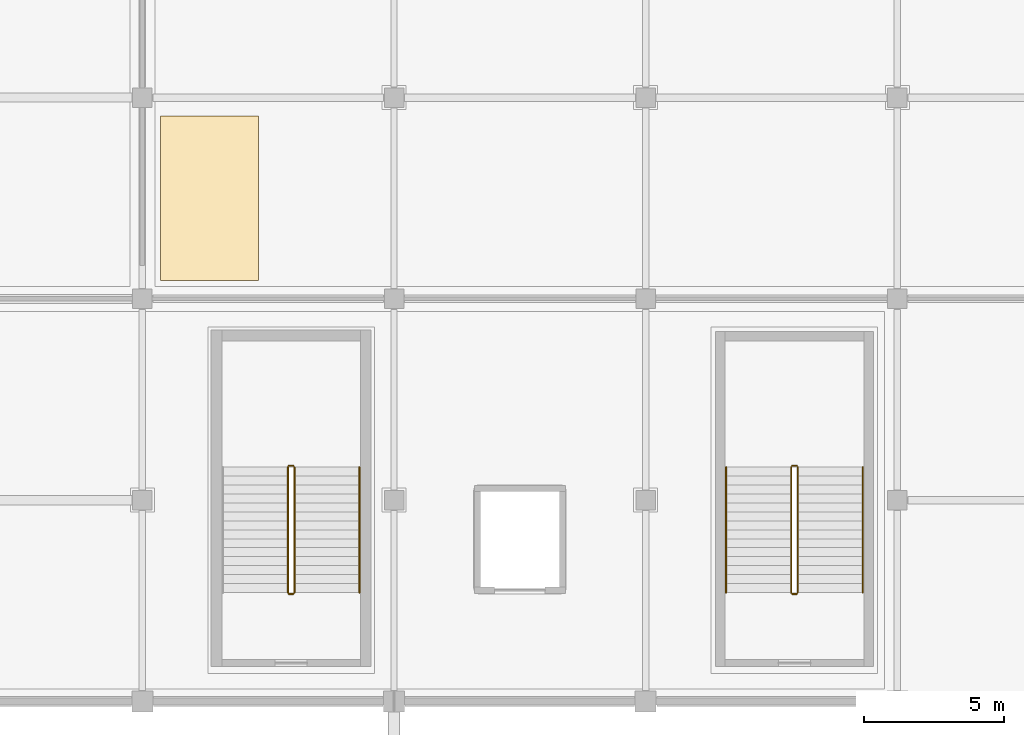
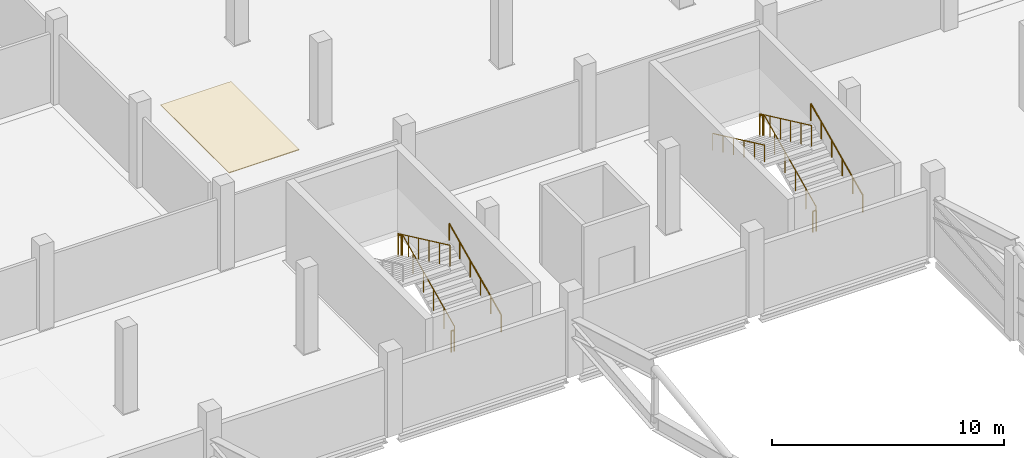
# One storey, part 132 of 151: 11 railings, 1 covering.
"""IFC4 building model written with IfcOpenShell, lengths in metres."""

from ifc_helpers import new_model, si_unit, direction, frame, origin, origin_2d, place, context, subcontext, project, spatial, polyline, circle, outline, extrude, material, layer, layer_set, type_object, element, save


model = new_model("IFC4")

# Units and contexts
model_context = context("Model", 3, precision=1e-05, world=origin(), true_north=direction((0.0, 1.0)))
body_context = subcontext(model_context, "Body", "Model", "MODEL_VIEW")
ifc_project = project(units=[si_unit("LENGTHUNIT", "METRE"), si_unit("AREAUNIT", "SQUARE_METRE"), si_unit("VOLUMEUNIT", "CUBIC_METRE"), si_unit("PLANEANGLEUNIT", "RADIAN"), si_unit("MASSUNIT", "GRAM", prefix="KILO")], contexts=[model_context])

# Site, building, storey
site_placement = place(None, origin())
site = spatial("IfcSite", under=ifc_project, at=site_placement, CompositionType="ELEMENT")
building_placement = place(site_placement, origin())
building = spatial("IfcBuilding", under=site, at=building_placement, Name="Celestram Park Convention Centre", CompositionType="ELEMENT")
storey_placement = place(building_placement, frame((0.0, 0.0, 10.800048828125)))
storey = spatial("IfcBuildingStorey", under=building, at=storey_placement, Name="L02", CompositionType="ELEMENT", Elevation=10.800048828125)

# Covering
ifc_material_1 = material(Name="Perforated Acoustic Mineral-Fibre Baffle Ceiling", Category="gypsum")
ifc_layer_1 = layer(ifc_material_1, 0.0400390625)
ifc_layer_set_1 = layer_set([ifc_layer_1], Name="Perforated Acoustic Mineral-Fibre Baffle Ceiling")
covering_type = type_object("IfcCoveringType", Name="ARC-COV-CLG040", PredefinedType="CEILING", material=ifc_layer_set_1)
covering_placement = place(storey_placement, frame((0.0, 0.0, 4.2099609375)))
element("IfcCovering", 1, at=covering_placement, inside=storey, type_object=covering_type, Name="Cosmic Horizon Banquet Gallery acoustic baffle ceiling", PredefinedType="CEILING", context=body_context, shape_type="SweptSolid", body=[
    extrude(outline(polyline([(99.64990234375, 123.050048828125), (103.14990234375, 123.050048828125), (103.14990234375, 128.949951171875), (99.64990234375, 128.949951171875), (99.64990234375, 123.050048828125)])), origin(), (0.0, 0.0, 1.0), 0.0400390625),
])

# Railings
ifc_material_2 = material(Name="Stainless Steel AISI 316L & Laminated Glass", Category="steel")
ifc_layer_2 = layer(ifc_material_2, 0.06005859375)
ifc_layer_set_2 = layer_set([ifc_layer_2], Name="Stainless Steel AISI 316L & Laminated Glass")
railing_type_1 = type_object("IfcRailingType", Name="ARC-RL-GRD1120", PredefinedType="GUARDRAIL", material=ifc_layer_set_2)
railing_1_placement = place(storey_placement, frame((104.43603515625, 111.89990234375, 0.14990234375)))
element("IfcRailing", 2, at=railing_1_placement, inside=storey, type_object=railing_type_1, Name="L02 ST-03 stair guard 1", PredefinedType="GUARDRAIL", context=body_context, shape_type="SweptSolid", body=[
    extrude(circle(Radius=0.02392578125, at=origin_2d()), frame((0.0, 0.0, 1.09619140625), z_axis=(0.0, 0.905450639465, 0.424451574969), x_axis=(-1.0, 0.0, 0.0)), (0.0, 0.0, 1.0), 4.94775390625),
    extrude(circle(Radius=0.02099609375, at=origin_2d()), origin(), (0.0, 0.0, 1.0), 1.072021484375),
    extrude(circle(Radius=0.02099609375, at=origin_2d()), frame((0.0, 0.89599609375, 0.419921875)), (0.0, 0.0, 1.0), 1.072021484375),
    extrude(circle(Radius=0.02099609375, at=origin_2d()), frame((0.0, 1.7919921875, 0.840087890625)), (0.0, 0.0, 1.0), 1.072021484375),
    extrude(circle(Radius=0.02099609375, at=origin_2d()), frame((0.0, 2.68798828125, 1.260009765625)), (0.0, 0.0, 1.0), 1.072021484375),
    extrude(circle(Radius=0.02099609375, at=origin_2d()), frame((0.0, 3.583984375, 1.68017578125)), (0.0, 0.0, 1.0), 1.072021484375),
    extrude(circle(Radius=0.02099609375, at=origin_2d()), frame((0.0, 4.47998046875, 2.10009765625)), (0.0, 0.0, 1.0), 1.072021484375),
])
railing_2_placement = place(storey_placement, frame((104.39990234375, 116.429931640625, 2.25)))
element("IfcRailing", 3, at=railing_2_placement, inside=storey, type_object=railing_type_1, Name="L02 ST-03 stair guard 2", PredefinedType="GUARDRAIL", context=body_context, shape_type="SweptSolid", body=[
    extrude(circle(Radius=0.02392578125, at=origin_2d()), frame((0.0, 0.0, 1.09619140625), z_axis=(-1.0, 0.0, 0.0), x_axis=(0.0, -1.0, 0.0)), (0.0, 0.0, 1.0), 0.159912109375),
    extrude(circle(Radius=0.02099609375, at=origin_2d()), origin(), (0.0, 0.0, 1.0), 1.072021484375),
    extrude(circle(Radius=0.02099609375, at=origin_2d()), frame((-0.159912109375, 0.0, 0.0)), (0.0, 0.0, 1.0), 1.072021484375),
])
railing_3_placement = place(storey_placement, frame((104.2041015625, 116.3798828125, 2.39990234375)))
element("IfcRailing", 4, at=railing_3_placement, inside=storey, type_object=railing_type_1, Name="L02 ST-03 stair guard 3", PredefinedType="GUARDRAIL", context=body_context, shape_type="SweptSolid", body=[
    extrude(circle(Radius=0.02392578125, at=origin_2d()), frame((0.0, 0.0, 1.09619140625), z_axis=(0.0, -0.905450639465, 0.424451574969), x_axis=(1.0, 0.0, 0.0)), (0.0, 0.0, 1.0), 4.94775390625),
    extrude(circle(Radius=0.02099609375, at=origin_2d()), origin(), (0.0, 0.0, 1.0), 1.072021484375),
    extrude(circle(Radius=0.02099609375, at=origin_2d()), frame((0.0, -0.89599609375, 0.419921875)), (0.0, 0.0, 1.0), 1.072021484375),
    extrude(circle(Radius=0.02099609375, at=origin_2d()), frame((0.0, -1.7919921875, 0.840087890625)), (0.0, 0.0, 1.0), 1.072021484375),
    extrude(circle(Radius=0.02099609375, at=origin_2d()), frame((0.0, -2.68798828125, 1.260009765625)), (0.0, 0.0, 1.0), 1.072021484375),
    extrude(circle(Radius=0.02099609375, at=origin_2d()), frame((0.0, -3.583984375, 1.68017578125)), (0.0, 0.0, 1.0), 1.072021484375),
    extrude(circle(Radius=0.02099609375, at=origin_2d()), frame((0.0, -4.47998046875, 2.10009765625)), (0.0, 0.0, 1.0), 1.072021484375),
])
railing_4_placement = place(storey_placement, frame((104.39990234375, 111.85009765625, 0.0)))
element("IfcRailing", 5, at=railing_4_placement, inside=storey, type_object=railing_type_1, Name="L02 ST-03 stair guard 4", PredefinedType="GUARDRAIL", context=body_context, shape_type="SweptSolid", body=[
    extrude(circle(Radius=0.02392578125, at=origin_2d()), frame((0.0, 0.0, 1.09619140625), z_axis=(-1.0, 0.0, 0.0), x_axis=(0.0, -1.0, 0.0)), (0.0, 0.0, 1.0), 0.159912109375),
    extrude(circle(Radius=0.02099609375, at=origin_2d()), origin(), (0.0, 0.0, 1.0), 1.072021484375),
    extrude(circle(Radius=0.02099609375, at=origin_2d()), frame((-0.159912109375, 0.0, 0.0)), (0.0, 0.0, 1.0), 1.072021484375),
])
railing_5_placement = place(storey_placement, frame((122.43603515625, 111.89990234375, 0.14990234375)))
element("IfcRailing", 6, at=railing_5_placement, inside=storey, type_object=railing_type_1, Name="L02 ST-20 stair guard 1", PredefinedType="GUARDRAIL", context=body_context, shape_type="SweptSolid", body=[
    extrude(circle(Radius=0.02392578125, at=origin_2d()), frame((0.0, 0.0, 1.09619140625), z_axis=(0.0, 0.905450639465, 0.424451574969), x_axis=(-1.0, 0.0, 0.0)), (0.0, 0.0, 1.0), 4.94775390625),
    extrude(circle(Radius=0.02099609375, at=origin_2d()), origin(), (0.0, 0.0, 1.0), 1.072021484375),
    extrude(circle(Radius=0.02099609375, at=origin_2d()), frame((0.0, 0.89599609375, 0.419921875)), (0.0, 0.0, 1.0), 1.072021484375),
    extrude(circle(Radius=0.02099609375, at=origin_2d()), frame((0.0, 1.7919921875, 0.840087890625)), (0.0, 0.0, 1.0), 1.072021484375),
    extrude(circle(Radius=0.02099609375, at=origin_2d()), frame((0.0, 2.68798828125, 1.260009765625)), (0.0, 0.0, 1.0), 1.072021484375),
    extrude(circle(Radius=0.02099609375, at=origin_2d()), frame((0.0, 3.583984375, 1.68017578125)), (0.0, 0.0, 1.0), 1.072021484375),
    extrude(circle(Radius=0.02099609375, at=origin_2d()), frame((0.0, 4.47998046875, 2.10009765625)), (0.0, 0.0, 1.0), 1.072021484375),
])
railing_6_placement = place(storey_placement, frame((122.39990234375, 116.429931640625, 2.25)))
element("IfcRailing", 7, at=railing_6_placement, inside=storey, type_object=railing_type_1, Name="L02 ST-20 stair guard 2", PredefinedType="GUARDRAIL", context=body_context, shape_type="SweptSolid", body=[
    extrude(circle(Radius=0.02392578125, at=origin_2d()), frame((0.0, 0.0, 1.09619140625), z_axis=(-1.0, 0.0, 0.0), x_axis=(0.0, -1.0, 0.0)), (0.0, 0.0, 1.0), 0.159912109375),
    extrude(circle(Radius=0.02099609375, at=origin_2d()), origin(), (0.0, 0.0, 1.0), 1.072021484375),
    extrude(circle(Radius=0.02099609375, at=origin_2d()), frame((-0.159912109375, 0.0, 0.0)), (0.0, 0.0, 1.0), 1.072021484375),
])
railing_7_placement = place(storey_placement, frame((122.2041015625, 116.3798828125, 2.39990234375)))
element("IfcRailing", 8, at=railing_7_placement, inside=storey, type_object=railing_type_1, Name="L02 ST-20 stair guard 3", PredefinedType="GUARDRAIL", context=body_context, shape_type="SweptSolid", body=[
    extrude(circle(Radius=0.02392578125, at=origin_2d()), frame((0.0, 0.0, 1.09619140625), z_axis=(0.0, -0.905450639465, 0.424451574969), x_axis=(1.0, 0.0, 0.0)), (0.0, 0.0, 1.0), 4.94775390625),
    extrude(circle(Radius=0.02099609375, at=origin_2d()), origin(), (0.0, 0.0, 1.0), 1.072021484375),
    extrude(circle(Radius=0.02099609375, at=origin_2d()), frame((0.0, -0.89599609375, 0.419921875)), (0.0, 0.0, 1.0), 1.072021484375),
    extrude(circle(Radius=0.02099609375, at=origin_2d()), frame((0.0, -1.7919921875, 0.840087890625)), (0.0, 0.0, 1.0), 1.072021484375),
    extrude(circle(Radius=0.02099609375, at=origin_2d()), frame((0.0, -2.68798828125, 1.260009765625)), (0.0, 0.0, 1.0), 1.072021484375),
    extrude(circle(Radius=0.02099609375, at=origin_2d()), frame((0.0, -3.583984375, 1.68017578125)), (0.0, 0.0, 1.0), 1.072021484375),
    extrude(circle(Radius=0.02099609375, at=origin_2d()), frame((0.0, -4.47998046875, 2.10009765625)), (0.0, 0.0, 1.0), 1.072021484375),
])
railing_8_placement = place(storey_placement, frame((122.39990234375, 111.85009765625, 0.0)))
element("IfcRailing", 9, at=railing_8_placement, inside=storey, type_object=railing_type_1, Name="L02 ST-20 stair guard 4", PredefinedType="GUARDRAIL", context=body_context, shape_type="SweptSolid", body=[
    extrude(circle(Radius=0.02392578125, at=origin_2d()), frame((0.0, 0.0, 1.09619140625), z_axis=(-1.0, 0.0, 0.0), x_axis=(0.0, -1.0, 0.0)), (0.0, 0.0, 1.0), 0.159912109375),
    extrude(circle(Radius=0.02099609375, at=origin_2d()), origin(), (0.0, 0.0, 1.0), 1.072021484375),
    extrude(circle(Radius=0.02099609375, at=origin_2d()), frame((-0.159912109375, 0.0, 0.0)), (0.0, 0.0, 1.0), 1.072021484375),
])
ifc_material_3 = material(Name="Brushed Stainless Steel AISI 304", Category="steel")
ifc_layer_3 = layer(ifc_material_3, 0.048095703125)
ifc_layer_set_3 = layer_set([ifc_layer_3], Name="Brushed Stainless Steel AISI 304")
railing_type_2 = type_object("IfcRailingType", Name="ARC-RL-HND915", PredefinedType="HANDRAIL", material=ifc_layer_set_3)
for number, where, name in (
    (10, (106.763916015625, 111.89990234375, 0.14990234375), "L02 ST-03 stair handrail 1"),
    (11, (124.763916015625, 111.89990234375, 0.14990234375), "L02 ST-20 stair handrail 1"),
):
    element("IfcRailing", number, at=place(storey_placement, frame(where)), inside=storey, type_object=railing_type_2, Name=name, PredefinedType="HANDRAIL", context=body_context, shape_type="SweptSolid", body=[
        extrude(circle(Radius=0.02392578125, at=origin_2d()), frame((0.0, 0.0, 0.8759765625), z_axis=(0.0, 0.905450639465, 0.424451574969), x_axis=(-1.0, 0.0, 0.0)), (0.0, 0.0, 1.0), 4.94775390625),
        extrude(circle(Radius=0.02099609375, at=origin_2d()), origin(), (0.0, 0.0, 1.0), 0.851806640625),
        extrude(circle(Radius=0.02099609375, at=origin_2d()), frame((0.0, 0.89599609375, 0.419921875)), (0.0, 0.0, 1.0), 0.851806640625),
        extrude(circle(Radius=0.02099609375, at=origin_2d()), frame((0.0, 1.7919921875, 0.840087890625)), (0.0, 0.0, 1.0), 0.851806640625),
        extrude(circle(Radius=0.02099609375, at=origin_2d()), frame((0.0, 2.68798828125, 1.260009765625)), (0.0, 0.0, 1.0), 0.851806640625),
        extrude(circle(Radius=0.02099609375, at=origin_2d()), frame((0.0, 3.583984375, 1.68017578125)), (0.0, 0.0, 1.0), 0.851806640625),
        extrude(circle(Radius=0.02099609375, at=origin_2d()), frame((0.0, 4.47998046875, 2.10009765625)), (0.0, 0.0, 1.0), 0.851806640625),
    ])
railing_9_placement = place(storey_placement, frame((119.8759765625, 116.3798828125, 2.39990234375)))
element("IfcRailing", 12, at=railing_9_placement, inside=storey, type_object=railing_type_2, Name="L02 ST-20 stair handrail 2", PredefinedType="HANDRAIL", context=body_context, shape_type="SweptSolid", body=[
    extrude(circle(Radius=0.02392578125, at=origin_2d()), frame((0.0, 0.0, 0.8759765625), z_axis=(0.0, -0.905450639465, 0.424451574969), x_axis=(1.0, 0.0, 0.0)), (0.0, 0.0, 1.0), 4.94775390625),
    extrude(circle(Radius=0.02099609375, at=origin_2d()), origin(), (0.0, 0.0, 1.0), 0.851806640625),
    extrude(circle(Radius=0.02099609375, at=origin_2d()), frame((0.0, -0.89599609375, 0.419921875)), (0.0, 0.0, 1.0), 0.851806640625),
    extrude(circle(Radius=0.02099609375, at=origin_2d()), frame((0.0, -1.7919921875, 0.840087890625)), (0.0, 0.0, 1.0), 0.851806640625),
    extrude(circle(Radius=0.02099609375, at=origin_2d()), frame((0.0, -2.68798828125, 1.260009765625)), (0.0, 0.0, 1.0), 0.851806640625),
    extrude(circle(Radius=0.02099609375, at=origin_2d()), frame((0.0, -3.583984375, 1.68017578125)), (0.0, 0.0, 1.0), 0.851806640625),
    extrude(circle(Radius=0.02099609375, at=origin_2d()), frame((0.0, -4.47998046875, 2.10009765625)), (0.0, 0.0, 1.0), 0.851806640625),
])

save(model, "model.ifc")
